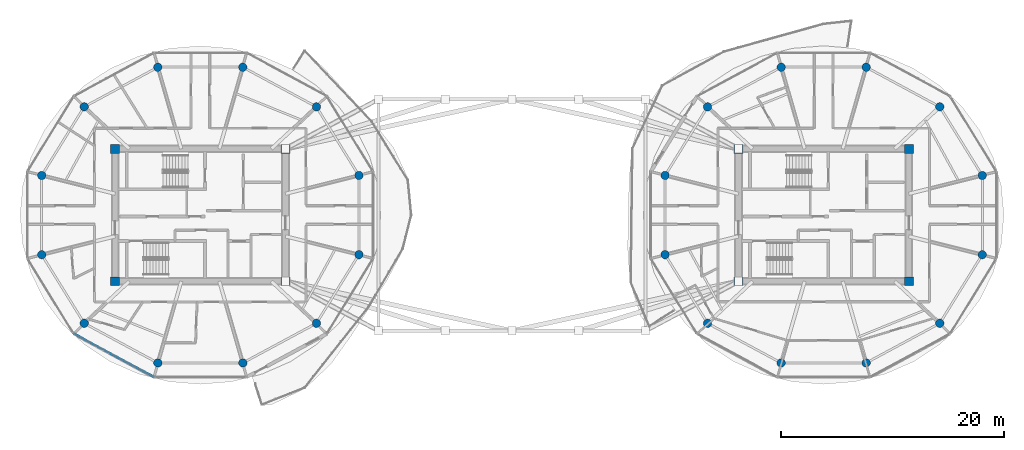
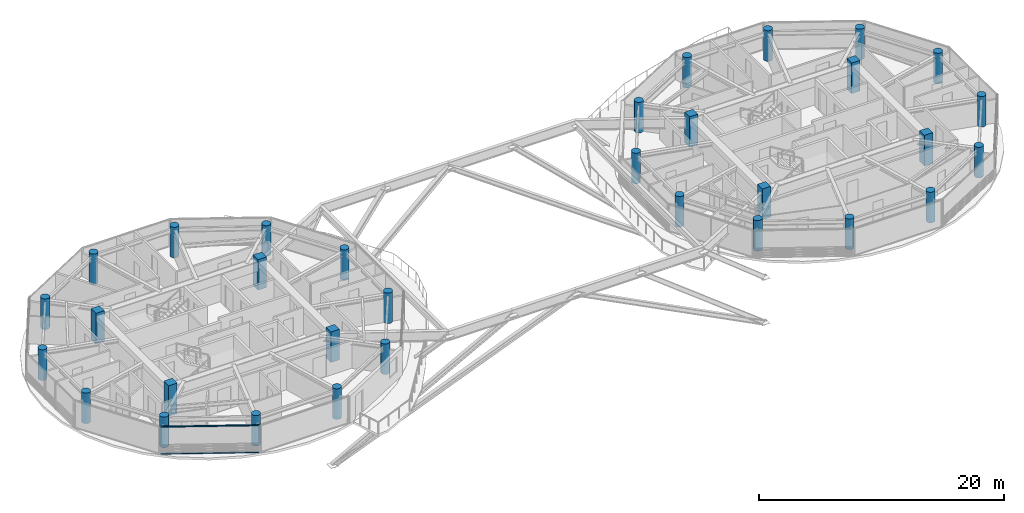
# One storey, part 1 of 23: 32 columns, 2 members, 1 element without a shape of its own.
"""IFC4 building model written with IfcOpenShell, lengths in metres."""

from ifc_helpers import new_model, si_unit, direction, frame, origin, origin_2d, place, context, subcontext, project, spatial, rectangle, circle, extrude, source, transform, mapped, material, layer, layer_set, material_profile, profile_set, type_object, type_shapes, element, aggregate, save


model = new_model("IFC4")

# Units and contexts
model_context = context("Model", 3, precision=1e-05, world=origin(), true_north=direction((0.0, 1.0)))
body_context = subcontext(model_context, "Body", "Model", "MODEL_VIEW")
ifc_project = project(units=[si_unit("LENGTHUNIT", "METRE"), si_unit("AREAUNIT", "SQUARE_METRE"), si_unit("VOLUMEUNIT", "CUBIC_METRE"), si_unit("PLANEANGLEUNIT", "RADIAN"), si_unit("MASSUNIT", "GRAM", prefix="KILO")], contexts=[model_context])

# Site, building, storey
site_placement = place(None, origin())
site = spatial("IfcSite", under=ifc_project, at=site_placement, CompositionType="ELEMENT")
building_placement = place(site_placement, origin())
building = spatial("IfcBuilding", under=site, at=building_placement, Name="Norrkilde Senior Care Towers", CompositionType="ELEMENT")
storey_placement = place(building_placement, frame((0.0, 0.0, 196.75)))
storey = spatial("IfcBuildingStorey", under=building, at=storey_placement, Name="L61", CompositionType="ELEMENT", Elevation=196.75)

# Columns
ifc_material_1 = material(Name="Concrete C60/75", Category="concrete")
ifc_material_profile_1 = material_profile(ifc_material_1, rectangle(XDim=0.800048828125, YDim=0.800048828125, at=origin_2d()), Name="RC COL 800x800")
ifc_profile_set_1 = profile_set([ifc_material_profile_1], Name="Concrete C60/75")
column_type_1 = type_object("IfcColumnType", Name="Column Core Corner Z3-Z4 800", PredefinedType="COLUMN", material=ifc_profile_set_1)
shared_shape_1 = source(origin(), body_context, "Body", "SweptSolid", [
    extrude(rectangle(XDim=0.800048828125, YDim=0.800048828125, at=origin_2d()), origin(), (0.0, 0.0, 1.0), 3.050048828125),
])
type_shapes(column_type_1, [shared_shape_1])
for number, where, z_axis, x_axis, name in (
    (1, (-35.64990234375, -5.949951171875, 0.0), (0.0, 0.0, 1.0), (1.0, 0.0, 0.0), "L61 Core W Corner Column 1"),
    (2, (-20.35009765625, -5.949951171875, 0.0), (0.0, 0.0, 1.0), (1.0, 0.0, 0.0), "L61 Core W Corner Column 2"),
    (3, (-20.35009765625, 5.949951171875, 0.0), (0.0, 0.0, 1.0), (1.0, 0.0, 0.0), "L61 Core W Corner Column 3"),
    (4, (-35.64990234375, 5.949951171875, 0.0), (0.0, 0.0, 1.0), (1.0, 0.0, 0.0), "L61 Core W Corner Column 4"),
    (5, (20.35009765625, -5.949951171875, 0.0), (0.0, 0.0, 1.0), (1.0, 0.0, 0.0), "L61 Core E Corner Column 1"),
    (6, (35.64990234375, -5.949951171875, 0.0), (0.0, 0.0, 1.0), (1.0, 0.0, 0.0), "L61 Core E Corner Column 2"),
    (7, (35.64990234375, 5.949951171875, 0.0), (0.0, 0.0, 1.0), (1.0, 0.0, 0.0), "L61 Core E Corner Column 3"),
    (8, (20.35009765625, 5.949951171875, 0.0), (0.0, 0.0, 1.0), (1.0, 0.0, 0.0), "L61 Core E Corner Column 4"),
):
    element("IfcColumn", number, at=place(storey_placement, frame(where, z_axis=z_axis, x_axis=x_axis)), inside=storey, type_object=column_type_1, Name=name, PredefinedType="COLUMN", context=body_context, shape_type="MappedRepresentation", body=[
        mapped(shared_shape_1, transform((0.0, 0.0, 0.0), x_axis=(1.0, 0.0, 0.0), y_axis=(0.0, 1.0, 0.0), z_axis=(0.0, 0.0, 1.0), scale=1.0)),
    ])
ifc_material_2 = material(Name="Concrete C50/60", Category="concrete")
ifc_material_profile_2 = material_profile(ifc_material_2, circle(Radius=0.375, at=origin_2d()), Name="RC CIR 750")
ifc_profile_set_2 = profile_set([ifc_material_profile_2], Name="Concrete C50/60")
column_type_2 = type_object("IfcColumnType", Name="Column Perimeter Z4 750", PredefinedType="COLUMN", material=ifc_profile_set_2)
shared_shape_2 = source(origin(), body_context, "Body", "SweptSolid", [
    extrude(circle(Radius=0.375, at=origin_2d()), origin(), (0.0, 0.0, 1.0), 3.050048828125),
])
type_shapes(column_type_2, [shared_shape_2])
for number, where, z_axis, x_axis, name in (
    (9, (-13.752685546875, 3.558837890625, 0.0), (0.0, 0.0, 1.0), (1.0, 0.0, 0.0), "L61 Drum W Perimeter Column 01"),
    (10, (-17.570068359375, 9.72265625, 0.0), (0.0, 0.0, 1.0), (1.0, 0.0, 0.0), "L61 Drum W Perimeter Column 02"),
    (11, (-24.182373046875, 13.281494140625, 0.0), (0.0, 0.0, 1.0), (1.0, 0.0, 0.0), "L61 Drum W Perimeter Column 03"),
    (12, (-31.817626953125, 13.281494140625, 0.0), (0.0, 0.0, 1.0), (1.0, 0.0, 0.0), "L61 Drum W Perimeter Column 04"),
    (13, (-38.429931640625, 9.72265625, 0.0), (0.0, 0.0, 1.0), (1.0, 0.0, 0.0), "L61 Drum W Perimeter Column 05"),
    (14, (-42.247314453125, 3.558837890625, 0.0), (0.0, 0.0, 1.0), (1.0, 0.0, 0.0), "L61 Drum W Perimeter Column 06"),
    (15, (-42.247314453125, -3.558837890625, 0.0), (0.0, 0.0, 1.0), (1.0, 0.0, 0.0), "L61 Drum W Perimeter Column 07"),
    (16, (-38.429931640625, -9.72265625, 0.0), (0.0, 0.0, 1.0), (1.0, 0.0, 0.0), "L61 Drum W Perimeter Column 08"),
    (17, (-31.817626953125, -13.281494140625, 0.0), (0.0, 0.0, 1.0), (1.0, 0.0, 0.0), "L61 Drum W Perimeter Column 09"),
    (18, (-24.182373046875, -13.281494140625, 0.0), (0.0, 0.0, 1.0), (1.0, 0.0, 0.0), "L61 Drum W Perimeter Column 10"),
    (19, (-17.570068359375, -9.72265625, 0.0), (0.0, 0.0, 1.0), (1.0, 0.0, 0.0), "L61 Drum W Perimeter Column 11"),
    (20, (-13.752685546875, -3.558837890625, 0.0), (0.0, 0.0, 1.0), (1.0, 0.0, 0.0), "L61 Drum W Perimeter Column 12"),
    (21, (42.247314453125, 3.558837890625, 0.0), (0.0, 0.0, 1.0), (1.0, 0.0, 0.0), "L61 Drum E Perimeter Column 01"),
    (22, (38.429931640625, 9.72265625, 0.0), (0.0, 0.0, 1.0), (1.0, 0.0, 0.0), "L61 Drum E Perimeter Column 02"),
    (23, (31.817626953125, 13.281494140625, 0.0), (0.0, 0.0, 1.0), (1.0, 0.0, 0.0), "L61 Drum E Perimeter Column 03"),
    (24, (24.182373046875, 13.281494140625, 0.0), (0.0, 0.0, 1.0), (1.0, 0.0, 0.0), "L61 Drum E Perimeter Column 04"),
    (25, (17.570068359375, 9.72265625, 0.0), (0.0, 0.0, 1.0), (1.0, 0.0, 0.0), "L61 Drum E Perimeter Column 05"),
    (26, (13.752685546875, 3.558837890625, 0.0), (0.0, 0.0, 1.0), (1.0, 0.0, 0.0), "L61 Drum E Perimeter Column 06"),
    (27, (13.752685546875, -3.558837890625, 0.0), (0.0, 0.0, 1.0), (1.0, 0.0, 0.0), "L61 Drum E Perimeter Column 07"),
    (28, (17.570068359375, -9.72265625, 0.0), (0.0, 0.0, 1.0), (1.0, 0.0, 0.0), "L61 Drum E Perimeter Column 08"),
    (29, (24.182373046875, -13.281494140625, 0.0), (0.0, 0.0, 1.0), (1.0, 0.0, 0.0), "L61 Drum E Perimeter Column 09"),
    (30, (31.817626953125, -13.281494140625, 0.0), (0.0, 0.0, 1.0), (1.0, 0.0, 0.0), "L61 Drum E Perimeter Column 10"),
    (31, (38.429931640625, -9.72265625, 0.0), (0.0, 0.0, 1.0), (1.0, 0.0, 0.0), "L61 Drum E Perimeter Column 11"),
    (32, (42.247314453125, -3.558837890625, 0.0), (0.0, 0.0, 1.0), (1.0, 0.0, 0.0), "L61 Drum E Perimeter Column 12"),
):
    element("IfcColumn", number, at=place(storey_placement, frame(where, z_axis=z_axis, x_axis=x_axis)), inside=storey, type_object=column_type_2, Name=name, PredefinedType="COLUMN", context=body_context, shape_type="MappedRepresentation", body=[
        mapped(shared_shape_2, transform((0.0, 0.0, 0.0), x_axis=(1.0, 0.0, 0.0), y_axis=(0.0, 1.0, 0.0), z_axis=(0.0, 0.0, 1.0), scale=1.0)),
    ])

# Curtain wall, members
ifc_material_3 = material(Name="Triple Low-E Insulated Glazing", Category="glass")
ifc_layer = layer(ifc_material_3, 0.18505859375)
ifc_layer_set = layer_set([ifc_layer], Name="Triple Low-E Insulated Glazing")
curtain_wall_type = type_object("IfcCurtainWallType", Name="CW6 Zone 4 Crown Pavilion Curtain Wall", PredefinedType="NOTDEFINED", material=ifc_layer_set)
curtain_wall_placement = place(storey_placement, origin())
curtain_wall = element("IfcCurtainWall", 33, at=curtain_wall_placement, inside=storey, type_object=curtain_wall_type, Name="L61 Drum W Curtain Wall 07", PredefinedType="NOTDEFINED")
ifc_material_4 = material(Name="Anodised Aluminium", Category="aluminium")
ifc_material_profile_3 = material_profile(ifc_material_4, rectangle(XDim=0.06005859375, YDim=0.1201171875, at=origin_2d()), Name="ALU TRAN 60x120")
ifc_profile_set_3 = profile_set([ifc_material_profile_3], Name="Anodised Aluminium")
member_type = type_object("IfcMemberType", Name="Curtain Wall Transom Typical 60x120", PredefinedType="USERDEFINED", material=ifc_profile_set_3)
shared_shape_3 = source(origin(), body_context, "Body", "SweptSolid", [
    extrude(rectangle(XDim=0.06005859375, YDim=0.1201171875, at=origin_2d()), origin(), (0.0, 0.0, 1.0), 8.0673828125),
])
type_shapes(member_type, [shared_shape_3])
member_1_placement = place(storey_placement, frame((-32.218994140625, -14.53515625, 0.030029296875), z_axis=(-0.87937750072, 0.476125205411, 0.0), x_axis=(-0.476125205411, -0.87937750072, 0.0)))
member_1 = element("IfcMember", 34, at=member_1_placement, type_object=member_type, Name="CW-6 transom 1.1", ObjectType="TRANSOM", PredefinedType="USERDEFINED", context=body_context, shape_type="MappedRepresentation", body=[
    mapped(shared_shape_3, transform((0.0, 0.0, 0.0), x_axis=(1.0, 0.0, 0.0), y_axis=(0.0, 1.0, 0.0), z_axis=(0.0, 0.0, 1.0), scale=1.0)),
])
member_2_placement = place(storey_placement, frame((-32.218994140625, -14.53515625, 2.72998046875), z_axis=(-0.87937750072, 0.476125205411, 0.0), x_axis=(-0.476125205411, -0.87937750072, 0.0)))
member_2 = element("IfcMember", 35, at=member_2_placement, type_object=member_type, Name="CW-6 transom 1.2", ObjectType="TRANSOM", PredefinedType="USERDEFINED", context=body_context, shape_type="MappedRepresentation", body=[
    mapped(shared_shape_3, transform((0.0, 0.0, 0.0), x_axis=(1.0, 0.0, 0.0), y_axis=(0.0, 1.0, 0.0), z_axis=(0.0, 0.0, 1.0), scale=1.0)),
])
aggregate(curtain_wall, [member_1, member_2])

save(model, "model.ifc")
